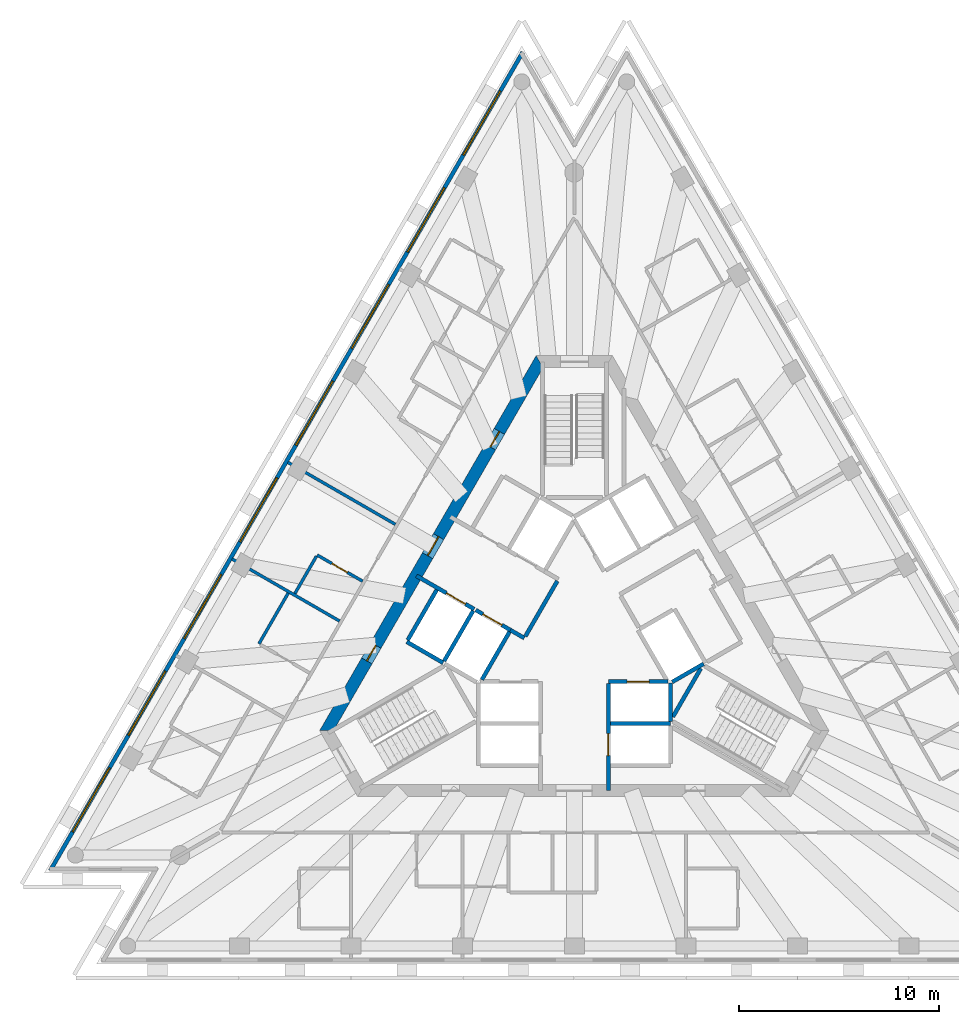
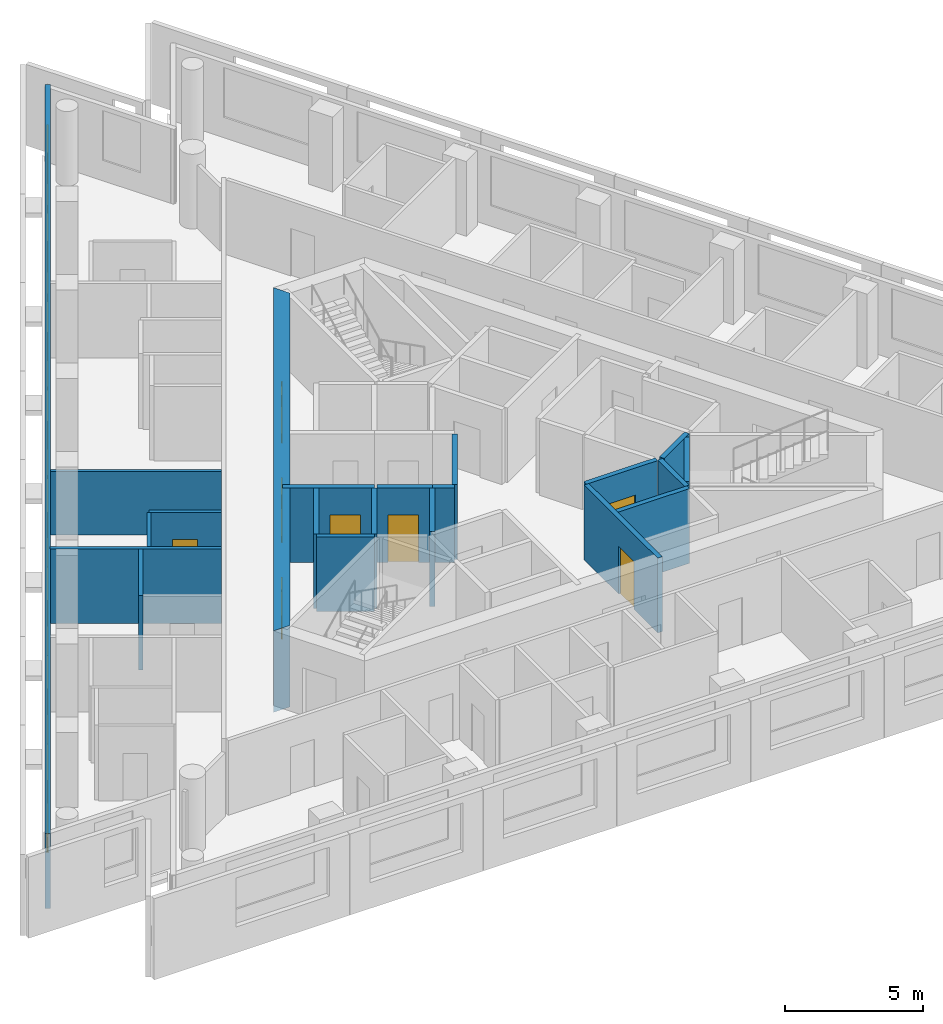
# One storey, part 4 of 10: 21 walls, 8 doors, 8 windows, 16 openings.
"""IFC4 building model written with IfcOpenShell, lengths in metres."""

from ifc_helpers import new_model, si_unit, direction, frame, frame_2d, origin, place, context, subcontext, project, spatial, polyline, rectangle, outline, extrude, material, layer, layer_set, layer_usage, type_object, element, fill, save


model = new_model("IFC4")

# Units and contexts
model_context = context("Model", 3, precision=1e-05, world=origin(), true_north=direction((0.0, 1.0)))
body_context = subcontext(model_context, "Body", "Model", "MODEL_VIEW")
ifc_project = project(units=[si_unit("LENGTHUNIT", "METRE"), si_unit("AREAUNIT", "SQUARE_METRE"), si_unit("VOLUMEUNIT", "CUBIC_METRE"), si_unit("PLANEANGLEUNIT", "RADIAN"), si_unit("MASSUNIT", "GRAM", prefix="KILO")], contexts=[model_context])

# Site, building, storey
site_placement = place(None, origin())
site = spatial("IfcSite", under=ifc_project, at=site_placement, CompositionType="ELEMENT")
building_placement = place(site_placement, origin())
building = spatial("IfcBuilding", under=site, at=building_placement, Name="Triada Interchange Tower", CompositionType="ELEMENT")
storey_placement = place(building_placement, frame((0.0, 0.0, 268.300048828125)))
storey = spatial("IfcBuildingStorey", under=building, at=storey_placement, Name="L62", CompositionType="ELEMENT", Elevation=268.300048828125)

# Walls
ifc_material_1 = material(Name="Concrete C30/37", Category="concrete")
ifc_layer_1 = layer(ifc_material_1, 0.199951171875)
ifc_layer_set_1 = layer_set([ifc_layer_1], Name="CORE WALL 200 EI 120")
wall_type_1 = type_object("IfcWallType", Name="CORE WALL 200 EI 120", PredefinedType="SOLIDWALL", material=ifc_layer_set_1)
wall_1_placement = place(storey_placement, frame((-8.3759765625, -0.70703125, 0.0), z_axis=(0.0, 0.0, 1.0), x_axis=(0.866067520717, -0.499927044236, 0.0)))
element("IfcWall", 1, at=wall_1_placement, inside=storey, type_object=wall_type_1, Name="Wall L62 66", PredefinedType="SOLIDWALL", context=body_context, shape_type="SweptSolid", body=[
    extrude(rectangle(XDim=2.100341796875, YDim=0.199951171875, at=frame_2d((1.05029296875, 0.0))), origin(), (0.0, 0.0, 1.0), 3.300048828125),
])
wall_2_placement = place(storey_placement, frame((-8.325927734375, -0.6201171875, 0.0), z_axis=(0.0, 0.0, 1.0), x_axis=(0.500023687443, 0.866011727401, 0.0)))
element("IfcWall", 2, at=wall_2_placement, inside=storey, type_object=wall_type_1, Name="Wall L62 67", PredefinedType="SOLIDWALL", context=body_context, shape_type="SweptSolid", body=[
    extrude(rectangle(XDim=2.899658203125, YDim=0.199951171875, at=frame_2d((1.44970703125, 0.0))), origin(), (0.0, 0.0, 1.0), 3.300048828125),
])
wall_3_placement = place(storey_placement, frame((1.800048828125, -4.800048828125, 0.0), z_axis=(0.0, 0.0, 1.0), x_axis=(1.0, 0.0, 0.0)))
element("IfcWall", 3, at=wall_3_placement, inside=storey, type_object=wall_type_1, Name="Wall L62 72", PredefinedType="SOLIDWALL", context=body_context, shape_type="SweptSolid", body=[
    extrude(rectangle(XDim=3.0, YDim=0.199951171875, at=frame_2d((1.5, 0.0))), origin(), (0.0, 0.0, 1.0), 3.300048828125),
])

# Wall, opening, door
wall_4_placement = place(storey_placement, frame((1.702880859375, -2.699951171875, 0.0), z_axis=(0.0, 0.0, 1.0), x_axis=(1.0, 0.0, 0.0)))
wall_4 = element("IfcWall", 4, at=wall_4_placement, inside=storey, type_object=wall_type_1, Name="Wall L62 75", PredefinedType="SOLIDWALL", context=body_context, shape_type="SweptSolid", body=[
    extrude(rectangle(XDim=2.97314453125, YDim=0.199951171875, at=frame_2d((1.486572265625, 0.0))), origin(), (0.0, 0.0, 1.0), 3.300048828125),
])
opening_1_placement = place(wall_4_placement, frame((0.93603515625, 0.0, 0.0)))
opening_1 = element("IfcOpeningElement", 5, at=opening_1_placement, cuts=wall_4, Name="Opening LD-HR1", PredefinedType="OPENING", context=body_context, shape_type="SweptSolid", body=[
    extrude(rectangle(XDim=1.10009765625, YDim=2.10009765625, at=frame_2d((0.550048828125, 1.050048828125))), frame((0.0, 0.10986328125, 0.0), z_axis=(0.0, -1.0, 0.0), x_axis=(1.0, 0.0, 0.0)), (0.0, 0.0, 1.0), 0.219970703125),
])
ifc_material_2 = material(Name="Steel S235 door leaf", Category="steel")
door_type_1 = type_object("IfcDoorType", Name="LIFT LANDING DOOR 1100 EI 120", OperationType="SLIDING_TO_LEFT", PredefinedType="DOOR", material=ifc_material_2)
door_1_placement = place(opening_1_placement, origin())
door_1 = element("IfcDoor", 6, at=door_1_placement, inside=storey, type_object=door_type_1, Name="HR1 landing door L62", OperationType="SLIDING_TO_LEFT", OverallHeight=2.10009765625, OverallWidth=1.10009765625, PredefinedType="DOOR", context=body_context, shape_type="SweptSolid", body=[
    extrude(rectangle(XDim=1.10009765625, YDim=2.10009765625, at=frame_2d((0.550048828125, 1.050048828125))), frame((0.0, 0.02490234375, 0.0), z_axis=(0.0, -1.0, 0.0), x_axis=(1.0, 0.0, 0.0)), (0.0, 0.0, 1.0), 0.050048828125),
])
fill(opening_1, door_1)

wall_5_placement = place(storey_placement, frame((1.699951171875, -8.1298828125, 0.0), z_axis=(0.0, 0.0, 1.0), x_axis=(0.0, 1.0, 0.0)))
wall_5 = element("IfcWall", 7, at=wall_5_placement, inside=storey, type_object=wall_type_1, Name="Wall L62 80", PredefinedType="SOLIDWALL", context=body_context, shape_type="SweptSolid", body=[
    extrude(rectangle(XDim=5.326904296875, YDim=0.199951171875, at=frame_2d((2.66357421875, 0.0))), origin(), (0.0, 0.0, 1.0), 3.300048828125),
])
opening_2_placement = place(wall_5_placement, frame((1.72998046875, 0.0, 0.0)))
opening_2 = element("IfcOpeningElement", 8, at=opening_2_placement, cuts=wall_5, Name="Opening LD-HR2", PredefinedType="OPENING", context=body_context, shape_type="SweptSolid", body=[
    extrude(rectangle(XDim=1.10009765625, YDim=2.10009765625, at=frame_2d((0.550048828125, 1.050048828125))), frame((0.0, 0.10986328125, 0.0), z_axis=(0.0, -1.0, 0.0), x_axis=(1.0, 0.0, 0.0)), (0.0, 0.0, 1.0), 0.219970703125),
])
door_2_placement = place(opening_2_placement, origin())
door_2 = element("IfcDoor", 9, at=door_2_placement, inside=storey, type_object=door_type_1, Name="HR2 landing door L62", OperationType="SLIDING_TO_LEFT", OverallHeight=2.10009765625, OverallWidth=1.10009765625, PredefinedType="DOOR", context=body_context, shape_type="SweptSolid", body=[
    extrude(rectangle(XDim=1.10009765625, YDim=2.10009765625, at=frame_2d((0.550048828125, 1.050048828125))), frame((0.0, 0.02490234375, 0.0), z_axis=(0.0, -1.0, 0.0), x_axis=(1.0, 0.0, 0.0)), (0.0, 0.0, 1.0), 0.050048828125),
])
fill(opening_2, door_2)

# Walls
wall_6_placement = place(storey_placement, frame((4.800048828125, -4.699951171875, 0.0), z_axis=(0.0, 0.0, 1.0), x_axis=(0.0, 1.0, 0.0)))
element("IfcWall", 10, at=wall_6_placement, inside=storey, type_object=wall_type_1, Name="Wall L62 82", PredefinedType="SOLIDWALL", context=body_context, shape_type="SweptSolid", body=[
    extrude(rectangle(XDim=1.928955078125, YDim=0.199951171875, at=frame_2d((0.96435546875, 0.0))), origin(), (0.0, 0.0, 1.0), 3.300048828125),
])
wall_7_placement = place(storey_placement, frame((4.89990234375, -2.714111328125, 0.0), z_axis=(0.0, 0.0, 1.0), x_axis=(0.865846928409, 0.500309001083, 0.0)))
element("IfcWall", 11, at=wall_7_placement, inside=storey, type_object=wall_type_1, Name="Wall L62 91", PredefinedType="SOLIDWALL", context=body_context, shape_type="SweptSolid", body=[
    extrude(rectangle(XDim=1.813232421875, YDim=0.199951171875, at=frame_2d((0.90673828125, 0.0))), origin(), (0.0, 0.0, 1.0), 3.300048828125),
])

# Wall, opening, door
ifc_layer_2 = layer(ifc_material_1, 0.199951171875)
ifc_layer_set_2 = layer_set([ifc_layer_2], Name="CORE WALL 200 EI 180")
wall_type_2 = type_object("IfcWallType", Name="CORE WALL 200 EI 180", PredefinedType="SOLIDWALL", material=ifc_layer_set_2)
wall_8_placement = place(storey_placement, frame((-7.89111328125, 2.593017578125, 0.0), z_axis=(0.0, 0.0, 1.0), x_axis=(0.866070917804, -0.499921159118, 0.0)))
wall_8 = element("IfcWall", 12, at=wall_8_placement, inside=storey, type_object=wall_type_2, Name="Wall L62 92", PredefinedType="SOLIDWALL", context=body_context, shape_type="SweptSolid", body=[
    extrude(rectangle(XDim=3.33251953125, YDim=0.199951171875, at=frame_2d((1.666259765625, 0.0))), origin(), (0.0, 0.0, 1.0), 3.300048828125),
])
opening_3_placement = place(wall_8_placement, frame((1.72998046875, 0.0, 0.0)))
opening_3 = element("IfcOpeningElement", 13, at=opening_3_placement, cuts=wall_8, Name="Opening LD-SV1", PredefinedType="OPENING", context=body_context, shape_type="SweptSolid", body=[
    extrude(rectangle(XDim=1.10009765625, YDim=2.10009765625, at=frame_2d((0.550048828125, 1.050048828125))), frame((0.0, 0.10986328125, 0.0), z_axis=(0.0, -1.0, 0.0), x_axis=(1.0, 0.0, 0.0)), (0.0, 0.0, 1.0), 0.219970703125),
])
door_3_placement = place(opening_3_placement, origin())
door_3 = element("IfcDoor", 14, at=door_3_placement, inside=storey, type_object=door_type_1, Name="SV1 landing door L62", OperationType="SLIDING_TO_LEFT", OverallHeight=2.10009765625, OverallWidth=1.10009765625, PredefinedType="DOOR", context=body_context, shape_type="SweptSolid", body=[
    extrude(rectangle(XDim=1.10009765625, YDim=2.10009765625, at=frame_2d((0.550048828125, 1.050048828125))), frame((0.0, 0.02490234375, 0.0), z_axis=(0.0, -1.0, 0.0), x_axis=(1.0, 0.0, 0.0)), (0.0, 0.0, 1.0), 0.050048828125),
])
fill(opening_3, door_3)

# Walls
wall_9_placement = place(storey_placement, frame((-3.18798828125, -0.1220703125, 0.0), z_axis=(0.0, 0.0, 1.0), x_axis=(0.865705793592, -0.50055317294, 0.0)))
element("IfcWall", 15, at=wall_9_placement, inside=storey, type_object=wall_type_2, Name="Wall L62 93", PredefinedType="SOLIDWALL", context=body_context, shape_type="SweptSolid", body=[
    extrude(rectangle(XDim=0.796875, YDim=0.199951171875, at=frame_2d((0.3984375, 0.0))), origin(), (0.0, 0.0, 1.0), 3.300048828125),
])
wall_10_placement = place(storey_placement, frame((-2.444091796875, -0.43310546875, 0.0), z_axis=(0.0, 0.0, 1.0), x_axis=(0.500035624827, 0.866004834804, 0.0)))
element("IfcWall", 16, at=wall_10_placement, inside=storey, type_object=wall_type_2, Name="Wall L62 98", PredefinedType="SOLIDWALL", context=body_context, shape_type="SweptSolid", body=[
    extrude(rectangle(XDim=3.194091796875, YDim=0.199951171875, at=frame_2d((1.59716796875, 0.0))), origin(), (0.0, 0.0, 1.0), 3.300048828125),
])
wall_11_placement = place(storey_placement, frame((-6.507080078125, -1.669921875, 0.0), z_axis=(0.0, 0.0, 1.0), x_axis=(0.50012328804, 0.865954211699, 0.0)))
element("IfcWall", 17, at=wall_11_placement, inside=storey, type_object=wall_type_2, Name="Shaft wall FF1 L62 99", PredefinedType="SOLIDWALL", context=body_context, shape_type="SweptSolid", body=[
    extrude(rectangle(XDim=2.899658203125, YDim=0.199951171875, at=frame_2d((1.44970703125, 0.0))), origin(), (0.0, 0.0, 1.0), 3.300048828125),
])

# Wall, opening, door
wall_12_placement = place(storey_placement, frame((-4.922119140625, 0.87890625, 0.0), z_axis=(0.0, 0.0, 1.0), x_axis=(0.866073918653, -0.499915960366, 0.0)))
wall_12 = element("IfcWall", 18, at=wall_12_placement, inside=storey, type_object=wall_type_2, Name="Shaft wall FF1 L62 101", PredefinedType="SOLIDWALL", context=body_context, shape_type="SweptSolid", body=[
    extrude(rectangle(XDim=2.002197265625, YDim=0.199951171875, at=frame_2d((1.0009765625, 0.0))), origin(), (0.0, 0.0, 1.0), 3.300048828125),
])
opening_4_placement = place(wall_12_placement, frame((0.402099609375, 0.0, 0.0)))
opening_4 = element("IfcOpeningElement", 19, at=opening_4_placement, cuts=wall_12, Name="Opening LD-FF1", PredefinedType="OPENING", context=body_context, shape_type="SweptSolid", body=[
    extrude(rectangle(XDim=1.10009765625, YDim=2.10009765625, at=frame_2d((0.550048828125, 1.050048828125))), frame((0.0, 0.10986328125, 0.0), z_axis=(0.0, -1.0, 0.0), x_axis=(1.0, 0.0, 0.0)), (0.0, 0.0, 1.0), 0.219970703125),
])
door_4_placement = place(opening_4_placement, origin())
door_4 = element("IfcDoor", 20, at=door_4_placement, inside=storey, type_object=door_type_1, Name="FF1 landing door L62", OperationType="SLIDING_TO_LEFT", OverallHeight=2.10009765625, OverallWidth=1.10009765625, PredefinedType="DOOR", context=body_context, shape_type="SweptSolid", body=[
    extrude(rectangle(XDim=1.10009765625, YDim=2.10009765625, at=frame_2d((0.550048828125, 1.050048828125))), frame((0.0, 0.02490234375, 0.0), z_axis=(0.0, -1.0, 0.0), x_axis=(1.0, 0.0, 0.0)), (0.0, 0.0, 1.0), 0.050048828125),
])
fill(opening_4, door_4)

# Walls
wall_13_placement = place(storey_placement, frame((-4.618896484375, -2.60009765625, 0.0), z_axis=(0.0, 0.0, 1.0), x_axis=(0.50009492287, 0.865970593103, 0.0)))
element("IfcWall", 21, at=wall_13_placement, inside=storey, type_object=wall_type_2, Name="Shaft wall FF1 L62 102", PredefinedType="SOLIDWALL", context=body_context, shape_type="SweptSolid", body=[
    extrude(rectangle(XDim=2.76123046875, YDim=0.199951171875, at=frame_2d((1.380615234375, 0.0))), origin(), (0.0, 0.0, 1.0), 3.300048828125),
])
ifc_layer_3 = layer(ifc_material_1, 0.199951171875)
ifc_layer_set_3 = layer_set([ifc_layer_3], Name="CORE WALL 200 REI 240")
wall_type_3 = type_object("IfcWallType", Name="CORE WALL 200 REI 240", PredefinedType="SOLIDWALL", material=ifc_layer_set_3)
wall_14_placement = place(storey_placement, frame((4.928955078125, -4.4619140625, 0.0), z_axis=(0.0, 0.0, 1.0), x_axis=(0.500200581029, 0.865909567298, 0.0)))
element("IfcWall", 22, at=wall_14_placement, inside=storey, type_object=wall_type_3, Name="Wall L62 119", PredefinedType="SOLIDWALL", context=body_context, shape_type="SweptSolid", body=[
    extrude(rectangle(XDim=2.799072265625, YDim=0.199951171875, at=frame_2d((1.3994140625, 0.0))), origin(), (0.0, 0.0, 1.0), 3.300048828125),
])

# Wall, openings, doors
ifc_material_3 = material(Name="Concrete C40/50", Category="concrete")
ifc_layer_4 = layer(ifc_material_3, 0.60009765625)
ifc_layer_set_4 = layer_set([ifc_layer_4], Name="Core wall D 600")
wall_type_4 = type_object("IfcWallType", Name="Core wall D 600", PredefinedType="SHEAR", material=ifc_layer_set_4)
wall_15_placement = place(storey_placement, frame((-1.73193359375, 13.300048828125, -0.300048828125), z_axis=(0.0, 0.0, 1.0), x_axis=(-0.500000539815, -0.866025092122, 0.0)))
wall_15 = element("IfcWall", 23, at=wall_15_placement, inside=storey, type_object=wall_type_4, Name="Core wall WD02 L62", PredefinedType="SHEAR", context=body_context, shape_type="SweptSolid", body=[
    extrude(outline(polyline([(-0.173095703125, -0.300048828125), (1.795166015625, -0.300048828125), (3.763427734375, -0.30029296875), (5.731689453125, -0.30029296875), (7.699951171875, -0.30029296875), (9.668212890625, -0.300537109375), (11.63671875, -0.300537109375), (13.60498046875, -0.30078125), (15.5732421875, -0.30078125), (17.54150390625, -0.30078125), (19.509765625, -0.301025390625), (21.47802734375, -0.301025390625), (21.131103515625, 0.300048828125), (19.225830078125, 0.300048828125), (17.320556640625, 0.300048828125), (15.415283203125, 0.300048828125), (13.510009765625, 0.300048828125), (11.604736328125, 0.300048828125), (9.699462890625, 0.300048828125), (7.794189453125, 0.300048828125), (5.888916015625, 0.300048828125), (3.983642578125, 0.300048828125), (2.078369140625, 0.300048828125), (0.173095703125, 0.300048828125), (-0.173095703125, -0.300048828125)])), origin(), (0.0, 0.0, 1.0), 3.60009765625),
])
opening_5_placement = place(wall_15_placement, frame((10.10205078125, 0.0, 0.300048828125)))
opening_5 = element("IfcOpeningElement", 24, at=opening_5_placement, cuts=wall_15, Name="Opening D62-51", PredefinedType="OPENING", context=body_context, shape_type="SweptSolid", body=[
    extrude(rectangle(XDim=1.10009765625, YDim=2.10009765625, at=frame_2d((0.550048828125, 1.050048828125))), frame((0.0, 0.31005859375, 0.0), z_axis=(0.0, -1.0, 0.0), x_axis=(1.0, 0.0, 0.0)), (0.0, 0.0, 1.0), 0.62109375),
])
opening_6_placement = place(wall_15_placement, frame((16.3779296875, 0.0, 0.300048828125)))
opening_6 = element("IfcOpeningElement", 25, at=opening_6_placement, cuts=wall_15, Name="Opening D62-52", PredefinedType="OPENING", context=body_context, shape_type="SweptSolid", body=[
    extrude(rectangle(XDim=0.89990234375, YDim=2.10009765625, at=frame_2d((0.449951171875, 1.050048828125))), frame((0.0, 0.31005859375, 0.0), z_axis=(0.0, -1.0, 0.0), x_axis=(1.0, 0.0, 0.0)), (0.0, 0.0, 1.0), 0.62109375),
])
opening_7_placement = place(wall_15_placement, frame((4.02587890625, 0.0, 0.300048828125)))
opening_7 = element("IfcOpeningElement", 26, at=opening_7_placement, cuts=wall_15, Name="Opening D62-54", PredefinedType="OPENING", context=body_context, shape_type="SweptSolid", body=[
    extrude(rectangle(XDim=0.89990234375, YDim=2.10009765625, at=frame_2d((0.449951171875, 1.050048828125))), frame((0.0, 0.31005859375, 0.0), z_axis=(0.0, -1.0, 0.0), x_axis=(1.0, 0.0, 0.0)), (0.0, 0.0, 1.0), 0.62109375),
])
door_type_2 = type_object("IfcDoorType", Name="FIRE LOBBY DOOR 1100 EI2 90-C5S200", OperationType="NOTDEFINED", PredefinedType="DOOR", material=ifc_material_2)
door_5_placement = place(opening_5_placement, origin())
door_5 = element("IfcDoor", 27, at=door_5_placement, inside=storey, type_object=door_type_2, Name="Door D62-51 L62", OperationType="SINGLE_SWING_RIGHT", OverallHeight=2.10009765625, OverallWidth=1.10009765625, PredefinedType="DOOR", context=body_context, shape_type="SweptSolid", body=[
    extrude(rectangle(XDim=1.10009765625, YDim=2.10009765625, at=frame_2d((0.550048828125, 1.050048828125))), frame((0.0, 0.02490234375, 0.0), z_axis=(0.0, -1.0, 0.0), x_axis=(1.0, 0.0, 0.0)), (0.0, 0.0, 1.0), 0.050048828125),
])
fill(opening_5, door_5)
door_type_3 = type_object("IfcDoorType", Name="SERVICE DOOR 900 EI2 45-C5S200", OperationType="NOTDEFINED", PredefinedType="DOOR", material=ifc_material_2)
door_6_placement = place(opening_6_placement, origin())
door_6 = element("IfcDoor", 28, at=door_6_placement, inside=storey, type_object=door_type_3, Name="Door D62-52 L62", OperationType="SINGLE_SWING_RIGHT", OverallHeight=2.10009765625, OverallWidth=0.89990234375, PredefinedType="DOOR", context=body_context, shape_type="SweptSolid", body=[
    extrude(rectangle(XDim=0.89990234375, YDim=2.10009765625, at=frame_2d((0.449951171875, 1.050048828125))), frame((0.0, 0.02490234375, 0.0), z_axis=(0.0, -1.0, 0.0), x_axis=(1.0, 0.0, 0.0)), (0.0, 0.0, 1.0), 0.050048828125),
])
fill(opening_6, door_6)
door_7_placement = place(opening_7_placement, origin())
door_7 = element("IfcDoor", 29, at=door_7_placement, inside=storey, type_object=door_type_3, Name="Door D62-54 L62", OperationType="SINGLE_SWING_LEFT", OverallHeight=2.10009765625, OverallWidth=0.89990234375, PredefinedType="DOOR", context=body_context, shape_type="SweptSolid", body=[
    extrude(rectangle(XDim=0.89990234375, YDim=2.10009765625, at=frame_2d((0.449951171875, 1.050048828125))), frame((0.0, 0.02490234375, 0.0), z_axis=(0.0, -1.0, 0.0), x_axis=(1.0, 0.0, 0.0)), (0.0, 0.0, 1.0), 0.050048828125),
])
fill(opening_7, door_7)

# Wall, openings, windows
ifc_material_4 = material(Name="Cement board")
ifc_layer_5 = layer(ifc_material_4, 0.02001953125, Name="Cement board cladding")
ifc_material_5 = material(Name="Sheathing board")
ifc_layer_6 = layer(ifc_material_5, 0.014892578125, Name="Sheathing board")
ifc_material_6 = material(Name="Mineral wool")
ifc_layer_7 = layer(ifc_material_6, 0.14990234375, Name="Mineral wool between steel studs")
ifc_material_7 = material(Name="Gypsum board")
ifc_layer_8 = layer(ifc_material_7, 0.014892578125, Name="Plasterboard lining")
ifc_layer_set_5 = layer_set([ifc_layer_5, ifc_layer_6, ifc_layer_7, ifc_layer_8], Name="External wall 200")
ifc_layer_usage = layer_usage(ifc_layer_set_5, "AXIS2", "POSITIVE", -0.10009765625)
wall_type_5 = type_object("IfcWallType", Name="External wall 200", PredefinedType="ELEMENTEDWALL", material=ifc_layer_set_5)
wall_16_placement = place(storey_placement, frame((-2.576904296875, 28.77099609375, 0.0), z_axis=(0.0, 0.0, 1.0), x_axis=(-0.49999909388, -0.866025926932, 0.0)))
wall_16 = element("IfcWall", 30, at=wall_16_placement, inside=storey, type_object=wall_type_5, material=ifc_layer_usage, Name="External wall L62 NW", PredefinedType="ELEMENTEDWALL", context=body_context, shape_type="SweptSolid", body=[
    extrude(rectangle(XDim=47.236328125, YDim=0.199951171875, at=frame_2d((23.6181640625, 0.0))), origin(), (0.0, 0.0, 1.0), 3.300048828125),
])
opening_8_placement = place(wall_16_placement, frame((2.242919921875, 0.0, 0.89990234375)))
opening_8 = element("IfcOpeningElement", 31, at=opening_8_placement, cuts=wall_16, Name="Opening WD01", PredefinedType="OPENING", context=body_context, shape_type="SweptSolid", body=[
    extrude(rectangle(XDim=3.699951171875, YDim=2.199951171875, at=frame_2d((1.85009765625, 1.10009765625))), frame((0.0, 0.10986328125, 0.0), z_axis=(0.0, -1.0, 0.0), x_axis=(1.0, 0.0, 0.0)), (0.0, 0.0, 1.0), 0.219970703125),
])
opening_9_placement = place(wall_16_placement, frame((7.823974609375, 0.0, 0.89990234375)))
opening_9 = element("IfcOpeningElement", 32, at=opening_9_placement, cuts=wall_16, Name="Opening WD02", PredefinedType="OPENING", context=body_context, shape_type="SweptSolid", body=[
    extrude(rectangle(XDim=3.699951171875, YDim=2.199951171875, at=frame_2d((1.85009765625, 1.10009765625))), frame((0.0, 0.10986328125, 0.0), z_axis=(0.0, -1.0, 0.0), x_axis=(1.0, 0.0, 0.0)), (0.0, 0.0, 1.0), 0.219970703125),
])
opening_10_placement = place(wall_16_placement, frame((13.406005859375, 0.0, 0.89990234375)))
opening_10 = element("IfcOpeningElement", 33, at=opening_10_placement, cuts=wall_16, Name="Opening WD03", PredefinedType="OPENING", context=body_context, shape_type="SweptSolid", body=[
    extrude(rectangle(XDim=3.699951171875, YDim=2.199951171875, at=frame_2d((1.85009765625, 1.10009765625))), frame((0.0, 0.10986328125, 0.0), z_axis=(0.0, -1.0, 0.0), x_axis=(1.0, 0.0, 0.0)), (0.0, 0.0, 1.0), 0.219970703125),
])
opening_11_placement = place(wall_16_placement, frame((18.987060546875, 0.0, 0.89990234375)))
opening_11 = element("IfcOpeningElement", 34, at=opening_11_placement, cuts=wall_16, Name="Opening WD04", PredefinedType="OPENING", context=body_context, shape_type="SweptSolid", body=[
    extrude(rectangle(XDim=3.699951171875, YDim=2.199951171875, at=frame_2d((1.85009765625, 1.10009765625))), frame((0.0, 0.10986328125, 0.0), z_axis=(0.0, -1.0, 0.0), x_axis=(1.0, 0.0, 0.0)), (0.0, 0.0, 1.0), 0.219970703125),
])
opening_12_placement = place(wall_16_placement, frame((24.569091796875, 0.0, 0.89990234375)))
opening_12 = element("IfcOpeningElement", 35, at=opening_12_placement, cuts=wall_16, Name="Opening WD05", PredefinedType="OPENING", context=body_context, shape_type="SweptSolid", body=[
    extrude(rectangle(XDim=3.699951171875, YDim=2.199951171875, at=frame_2d((1.85009765625, 1.10009765625))), frame((0.0, 0.10986328125, 0.0), z_axis=(0.0, -1.0, 0.0), x_axis=(1.0, 0.0, 0.0)), (0.0, 0.0, 1.0), 0.219970703125),
])
opening_13_placement = place(wall_16_placement, frame((30.14990234375, 0.0, 0.89990234375)))
opening_13 = element("IfcOpeningElement", 36, at=opening_13_placement, cuts=wall_16, Name="Opening WD06", PredefinedType="OPENING", context=body_context, shape_type="SweptSolid", body=[
    extrude(rectangle(XDim=3.699951171875, YDim=2.199951171875, at=frame_2d((1.85009765625, 1.10009765625))), frame((0.0, 0.10986328125, 0.0), z_axis=(0.0, -1.0, 0.0), x_axis=(1.0, 0.0, 0.0)), (0.0, 0.0, 1.0), 0.219970703125),
])
opening_14_placement = place(wall_16_placement, frame((35.73095703125, 0.0, 0.89990234375)))
opening_14 = element("IfcOpeningElement", 37, at=opening_14_placement, cuts=wall_16, Name="Opening WD07", PredefinedType="OPENING", context=body_context, shape_type="SweptSolid", body=[
    extrude(rectangle(XDim=3.699951171875, YDim=2.199951171875, at=frame_2d((1.85009765625, 1.10009765625))), frame((0.0, 0.10986328125, 0.0), z_axis=(0.0, -1.0, 0.0), x_axis=(1.0, 0.0, 0.0)), (0.0, 0.0, 1.0), 0.219970703125),
])
opening_15_placement = place(wall_16_placement, frame((41.31298828125, 0.0, 0.89990234375)))
opening_15 = element("IfcOpeningElement", 38, at=opening_15_placement, cuts=wall_16, Name="Opening WD08", PredefinedType="OPENING", context=body_context, shape_type="SweptSolid", body=[
    extrude(rectangle(XDim=3.699951171875, YDim=2.199951171875, at=frame_2d((1.85009765625, 1.10009765625))), frame((0.0, 0.10986328125, 0.0), z_axis=(0.0, -1.0, 0.0), x_axis=(1.0, 0.0, 0.0)), (0.0, 0.0, 1.0), 0.219970703125),
])
ifc_material_8 = material(Name="Double glazed aluminium window", Category="aluminium")
window_type = type_object("IfcWindowType", Name="Ribbon window D face", PartitioningType="SINGLE_PANEL", PredefinedType="WINDOW", material=ifc_material_8)
window_1_placement = place(opening_8_placement, origin())
window_1 = element("IfcWindow", 39, at=window_1_placement, inside=storey, type_object=window_type, Name="Window L62 NW 1", OverallHeight=2.199951171875, OverallWidth=3.699951171875, PartitioningType="SINGLE_PANEL", PredefinedType="WINDOW", context=body_context, shape_type="SweptSolid", body=[
    extrude(rectangle(XDim=3.699951171875, YDim=2.199951171875, at=frame_2d((1.85009765625, 1.10009765625))), frame((0.0, 0.030029296875, 0.0), z_axis=(0.0, -1.0, 0.0), x_axis=(1.0, 0.0, 0.0)), (0.0, 0.0, 1.0), 0.06005859375),
])
fill(opening_8, window_1)
window_2_placement = place(opening_9_placement, origin())
window_2 = element("IfcWindow", 40, at=window_2_placement, inside=storey, type_object=window_type, Name="Window L62 NW 2", OverallHeight=2.199951171875, OverallWidth=3.699951171875, PartitioningType="SINGLE_PANEL", PredefinedType="WINDOW", context=body_context, shape_type="SweptSolid", body=[
    extrude(rectangle(XDim=3.699951171875, YDim=2.199951171875, at=frame_2d((1.85009765625, 1.10009765625))), frame((0.0, 0.030029296875, 0.0), z_axis=(0.0, -1.0, 0.0), x_axis=(1.0, 0.0, 0.0)), (0.0, 0.0, 1.0), 0.06005859375),
])
fill(opening_9, window_2)
window_3_placement = place(opening_10_placement, origin())
window_3 = element("IfcWindow", 41, at=window_3_placement, inside=storey, type_object=window_type, Name="Window L62 NW 3", OverallHeight=2.199951171875, OverallWidth=3.699951171875, PartitioningType="SINGLE_PANEL", PredefinedType="WINDOW", context=body_context, shape_type="SweptSolid", body=[
    extrude(rectangle(XDim=3.699951171875, YDim=2.199951171875, at=frame_2d((1.85009765625, 1.10009765625))), frame((0.0, 0.030029296875, 0.0), z_axis=(0.0, -1.0, 0.0), x_axis=(1.0, 0.0, 0.0)), (0.0, 0.0, 1.0), 0.06005859375),
])
fill(opening_10, window_3)
window_4_placement = place(opening_11_placement, origin())
window_4 = element("IfcWindow", 42, at=window_4_placement, inside=storey, type_object=window_type, Name="Window L62 NW 4", OverallHeight=2.199951171875, OverallWidth=3.699951171875, PartitioningType="SINGLE_PANEL", PredefinedType="WINDOW", context=body_context, shape_type="SweptSolid", body=[
    extrude(rectangle(XDim=3.699951171875, YDim=2.199951171875, at=frame_2d((1.85009765625, 1.10009765625))), frame((0.0, 0.030029296875, 0.0), z_axis=(0.0, -1.0, 0.0), x_axis=(1.0, 0.0, 0.0)), (0.0, 0.0, 1.0), 0.06005859375),
])
fill(opening_11, window_4)
window_5_placement = place(opening_12_placement, origin())
window_5 = element("IfcWindow", 43, at=window_5_placement, inside=storey, type_object=window_type, Name="Window L62 NW 5", OverallHeight=2.199951171875, OverallWidth=3.699951171875, PartitioningType="SINGLE_PANEL", PredefinedType="WINDOW", context=body_context, shape_type="SweptSolid", body=[
    extrude(rectangle(XDim=3.699951171875, YDim=2.199951171875, at=frame_2d((1.85009765625, 1.10009765625))), frame((0.0, 0.030029296875, 0.0), z_axis=(0.0, -1.0, 0.0), x_axis=(1.0, 0.0, 0.0)), (0.0, 0.0, 1.0), 0.06005859375),
])
fill(opening_12, window_5)
window_6_placement = place(opening_13_placement, origin())
window_6 = element("IfcWindow", 44, at=window_6_placement, inside=storey, type_object=window_type, Name="Window L62 NW 6", OverallHeight=2.199951171875, OverallWidth=3.699951171875, PartitioningType="SINGLE_PANEL", PredefinedType="WINDOW", context=body_context, shape_type="SweptSolid", body=[
    extrude(rectangle(XDim=3.699951171875, YDim=2.199951171875, at=frame_2d((1.85009765625, 1.10009765625))), frame((0.0, 0.030029296875, 0.0), z_axis=(0.0, -1.0, 0.0), x_axis=(1.0, 0.0, 0.0)), (0.0, 0.0, 1.0), 0.06005859375),
])
fill(opening_13, window_6)
window_7_placement = place(opening_14_placement, origin())
window_7 = element("IfcWindow", 45, at=window_7_placement, inside=storey, type_object=window_type, Name="Window L62 NW 7", OverallHeight=2.199951171875, OverallWidth=3.699951171875, PartitioningType="SINGLE_PANEL", PredefinedType="WINDOW", context=body_context, shape_type="SweptSolid", body=[
    extrude(rectangle(XDim=3.699951171875, YDim=2.199951171875, at=frame_2d((1.85009765625, 1.10009765625))), frame((0.0, 0.030029296875, 0.0), z_axis=(0.0, -1.0, 0.0), x_axis=(1.0, 0.0, 0.0)), (0.0, 0.0, 1.0), 0.06005859375),
])
fill(opening_14, window_7)
window_8_placement = place(opening_15_placement, origin())
window_8 = element("IfcWindow", 46, at=window_8_placement, inside=storey, type_object=window_type, Name="Window L62 NW 8", OverallHeight=2.199951171875, OverallWidth=3.699951171875, PartitioningType="SINGLE_PANEL", PredefinedType="WINDOW", context=body_context, shape_type="SweptSolid", body=[
    extrude(rectangle(XDim=3.699951171875, YDim=2.199951171875, at=frame_2d((1.85009765625, 1.10009765625))), frame((0.0, 0.030029296875, 0.0), z_axis=(0.0, -1.0, 0.0), x_axis=(1.0, 0.0, 0.0)), (0.0, 0.0, 1.0), 0.06005859375),
])
fill(opening_15, window_8)

# Walls
ifc_material_9 = material(Name="Gypsum board partition")
ifc_layer_9 = layer(ifc_material_9, 0.14990234375)
ifc_layer_set_6 = layer_set([ifc_layer_9], Name="PARTITION 150 EI 180")
wall_type_6 = type_object("IfcWallType", Name="PARTITION 150 EI 180", PredefinedType="PARTITIONING", material=ifc_layer_set_6)
wall_17_placement = place(storey_placement, frame((-17.112060546875, 3.43505859375, 0.0), z_axis=(0.0, 0.0, 1.0), x_axis=(0.866043575568, -0.499968524226, 0.0)))
element("IfcWall", 47, at=wall_17_placement, inside=storey, type_object=wall_type_6, Name="Wall L62 6", PredefinedType="PARTITIONING", context=body_context, shape_type="SweptSolid", body=[
    extrude(rectangle(XDim=6.21240234375, YDim=0.14990234375, at=frame_2d((3.106201171875, 0.0))), origin(), (0.0, 0.0, 1.0), 3.300048828125),
])
wall_18_placement = place(storey_placement, frame((-14.321044921875, 8.26904296875, 0.0), z_axis=(0.0, 0.0, 1.0), x_axis=(0.866043575568, -0.499968524226, 0.0)))
element("IfcWall", 48, at=wall_18_placement, inside=storey, type_object=wall_type_6, Name="Wall L62 7", PredefinedType="PARTITIONING", context=body_context, shape_type="SweptSolid", body=[
    extrude(rectangle(XDim=6.21240234375, YDim=0.14990234375, at=frame_2d((3.106201171875, 0.0))), origin(), (0.0, 0.0, 1.0), 2.800048828125),
])

# Wall, opening, door
ifc_layer_10 = layer(ifc_material_9, 0.14990234375)
ifc_layer_set_7 = layer_set([ifc_layer_10], Name="PARTITION 150 EI 90")
wall_type_7 = type_object("IfcWallType", Name="PARTITION 150 EI 90", PredefinedType="PARTITIONING", material=ifc_layer_set_7)
wall_19_placement = place(storey_placement, frame((-12.85595703125, 3.633056640625, 0.0), z_axis=(0.0, 0.0, 1.0), x_axis=(0.866163910271, -0.499760022954, 0.0)))
wall_19 = element("IfcWall", 49, at=wall_19_placement, inside=storey, type_object=wall_type_7, Name="Wall L62 38", PredefinedType="PARTITIONING", context=body_context, shape_type="SweptSolid", body=[
    extrude(rectangle(XDim=2.625244140625, YDim=0.14990234375, at=frame_2d((1.3125, 0.0))), origin(), (0.0, 0.0, 1.0), 3.300048828125),
])
opening_16_placement = place(wall_19_placement, frame((0.85009765625, 0.0, 0.0)))
opening_16 = element("IfcOpeningElement", 50, at=opening_16_placement, cuts=wall_19, Name="Opening D62-41", PredefinedType="OPENING", context=body_context, shape_type="SweptSolid", body=[
    extrude(rectangle(XDim=0.89990234375, YDim=2.10009765625, at=frame_2d((0.449951171875, 1.050048828125))), frame((0.0, 0.0849609375, 0.0), z_axis=(0.0, -1.0, 0.0), x_axis=(1.0, 0.0, 0.0)), (0.0, 0.0, 1.0), 0.169921875),
])
door_type_4 = type_object("IfcDoorType", Name="ROOM DOOR 900 EI2 45-C5S200", OperationType="NOTDEFINED", PredefinedType="DOOR", material=ifc_material_2)
door_8_placement = place(opening_16_placement, origin())
door_8 = element("IfcDoor", 51, at=door_8_placement, inside=storey, type_object=door_type_4, Name="Door D62-41 L62", OperationType="SINGLE_SWING_LEFT", OverallHeight=2.10009765625, OverallWidth=0.89990234375, PredefinedType="DOOR", context=body_context, shape_type="SweptSolid", body=[
    extrude(rectangle(XDim=0.89990234375, YDim=2.10009765625, at=frame_2d((0.449951171875, 1.050048828125))), frame((0.0, 0.02490234375, 0.0), z_axis=(0.0, -1.0, 0.0), x_axis=(1.0, 0.0, 0.0)), (0.0, 0.0, 1.0), 0.050048828125),
])
fill(opening_16, door_8)

# Walls
wall_20_placement = place(storey_placement, frame((-13.968017578125, 1.70703125, 0.0), z_axis=(0.0, 0.0, 1.0), x_axis=(0.500158362642, 0.865933953763, 0.0)))
element("IfcWall", 52, at=wall_20_placement, inside=storey, type_object=wall_type_7, Name="Wall L62 39", PredefinedType="PARTITIONING", context=body_context, shape_type="SweptSolid", body=[
    extrude(rectangle(XDim=2.149169921875, YDim=0.14990234375, at=frame_2d((1.07470703125, 0.0))), origin(), (0.0, 0.0, 1.0), 3.300048828125),
])
wall_21_placement = place(storey_placement, frame((-15.764892578125, -0.806884765625, 0.0), z_axis=(0.0, 0.0, 1.0), x_axis=(0.499729678228, 0.86618141789, 0.0)))
element("IfcWall", 53, at=wall_21_placement, inside=storey, type_object=wall_type_7, Name="Wall L62 41", PredefinedType="PARTITIONING", context=body_context, shape_type="SweptSolid", body=[
    extrude(rectangle(XDim=2.92529296875, YDim=0.14990234375, at=frame_2d((1.462646484375, 0.0))), origin(), (0.0, 0.0, 1.0), 3.300048828125),
])

save(model, "model.ifc")
